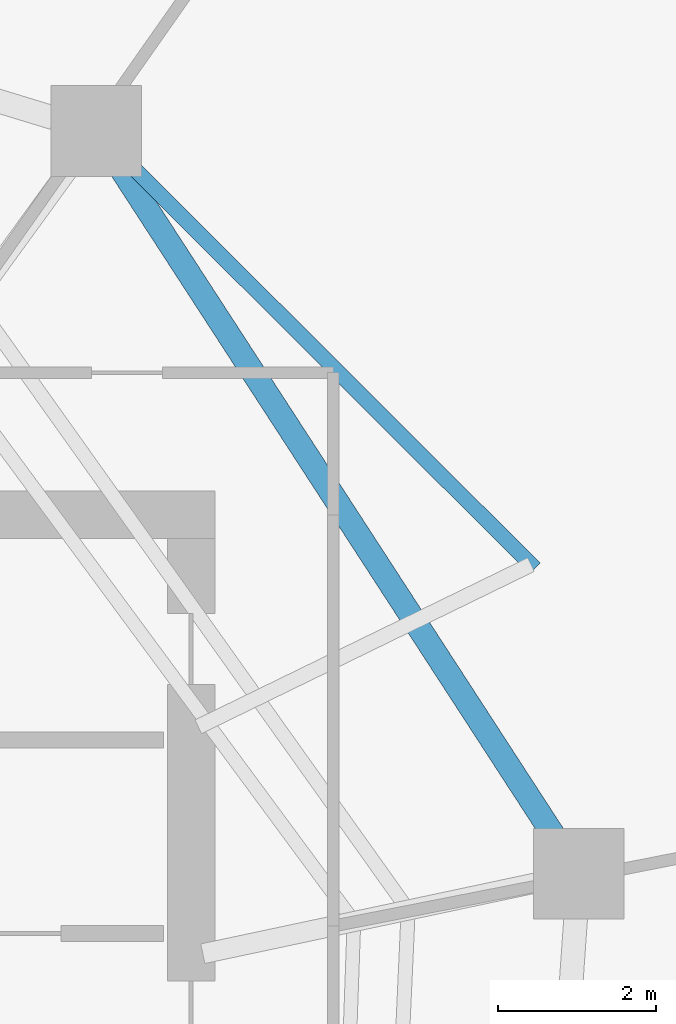
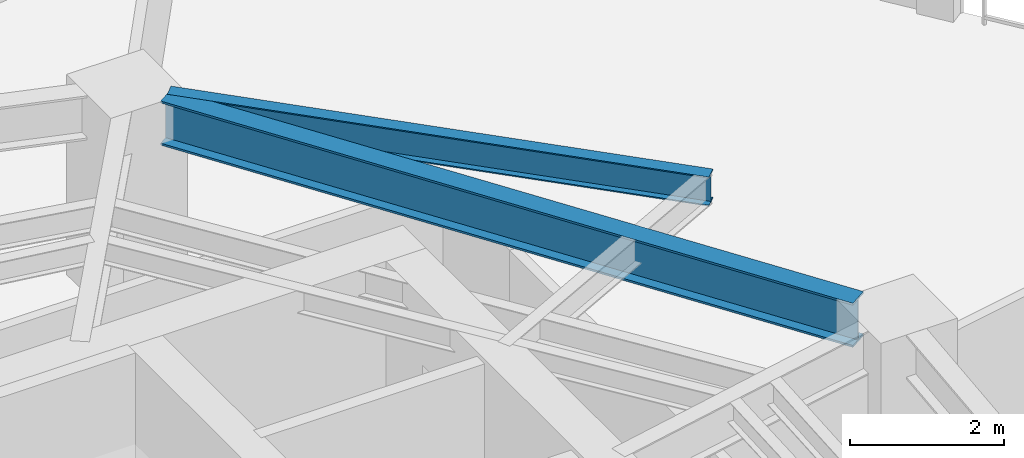
# One storey, part 21 of 30: 2 beams.
"""IFC4 building model written with IfcOpenShell, lengths in metres."""

from ifc_helpers import new_model, si_unit, direction, frame, origin, origin_2d, place, context, subcontext, project, spatial, i_section, extrude, material, material_profile, profile_set, type_object, element, save


model = new_model("IFC4")

# Units and contexts
model_context = context("Model", 3, precision=1e-05, world=origin(), true_north=direction((0.0, 1.0)))
body_context = subcontext(model_context, "Body", "Model", "MODEL_VIEW")
ifc_project = project(units=[si_unit("LENGTHUNIT", "METRE"), si_unit("AREAUNIT", "SQUARE_METRE"), si_unit("VOLUMEUNIT", "CUBIC_METRE"), si_unit("PLANEANGLEUNIT", "RADIAN"), si_unit("MASSUNIT", "GRAM", prefix="KILO")], contexts=[model_context])

# Site, building, storey
site_placement = place(None, origin())
site = spatial("IfcSite", under=ifc_project, at=site_placement, CompositionType="ELEMENT")
building_placement = place(site_placement, origin())
building = spatial("IfcBuilding", under=site, at=building_placement, Name="Qarnah Convention Tower", CompositionType="ELEMENT")
storey_placement = place(building_placement, frame((0.0, 0.0, 93.60009765625)))
storey = spatial("IfcBuildingStorey", under=building, at=storey_placement, Name="L24", CompositionType="ELEMENT", Elevation=93.60009765625)

# Beams
ifc_material = material(Name="Structural steel S355JR", Category="steel")
ifc_material_profile_1 = material_profile(ifc_material, i_section(OverallWidth=0.19189453125, OverallDepth=0.464111328125, WebThickness=0.010986328125, FlangeThickness=0.01806640625, at=origin_2d()), Name="W460X89")
ifc_profile_set_1 = profile_set([ifc_material_profile_1], Name="Structural steel S355JR")
beam_type_1 = type_object("IfcBeamType", Name="BM-CANT-W460A", PredefinedType="BEAM", material=ifc_profile_set_1)
beam_1_placement = place(storey_placement, frame((51.952880859375, 33.52099609375, 2.93798828125), z_axis=(-0.707978220507, 0.706234266577, 0.0), x_axis=(-0.706234266577, -0.707978220507, 0.0)))
element("IfcBeam", 1, at=beam_1_placement, inside=storey, type_object=beam_type_1, Name="L24 spandrel BM-L24-CTIE-01", PredefinedType="SPANDREL", context=body_context, shape_type="SweptSolid", body=[
    extrude(i_section(OverallWidth=0.19189453125, OverallDepth=0.464111328125, WebThickness=0.010986328125, FlangeThickness=0.01806640625, at=origin_2d()), origin(), (0.0, 0.0, 1.0), 7.279541015625),
])
ifc_material_profile_2 = material_profile(ifc_material, i_section(OverallWidth=0.300048828125, OverallDepth=0.699951171875, WebThickness=0.01708984375, FlangeThickness=0.031982421875, at=origin_2d()), Name="HEB700")
ifc_profile_set_2 = profile_set([ifc_material_profile_2], Name="Structural steel S355JR")
beam_type_2 = type_object("IfcBeamType", Name="BM-RING-HEB700", PredefinedType="BEAM", material=ifc_profile_set_2)
beam_2_placement = place(storey_placement, frame((52.199951171875, 30.1279296875, 2.81982421875), z_axis=(-0.544610528714, 0.838689079465, 0.0), x_axis=(-0.838689079465, -0.544610528714, 0.0)))
element("IfcBeam", 2, at=beam_2_placement, inside=storey, type_object=beam_type_2, Name="L24 beam BM-L24-SPN-01", PredefinedType="BEAM", context=body_context, shape_type="SweptSolid", body=[
    extrude(i_section(OverallWidth=0.300048828125, OverallDepth=0.699951171875, WebThickness=0.01708984375, FlangeThickness=0.031982421875, at=origin_2d()), origin(), (0.0, 0.0, 1.0), 10.0859375),
])

save(model, "model.ifc")
